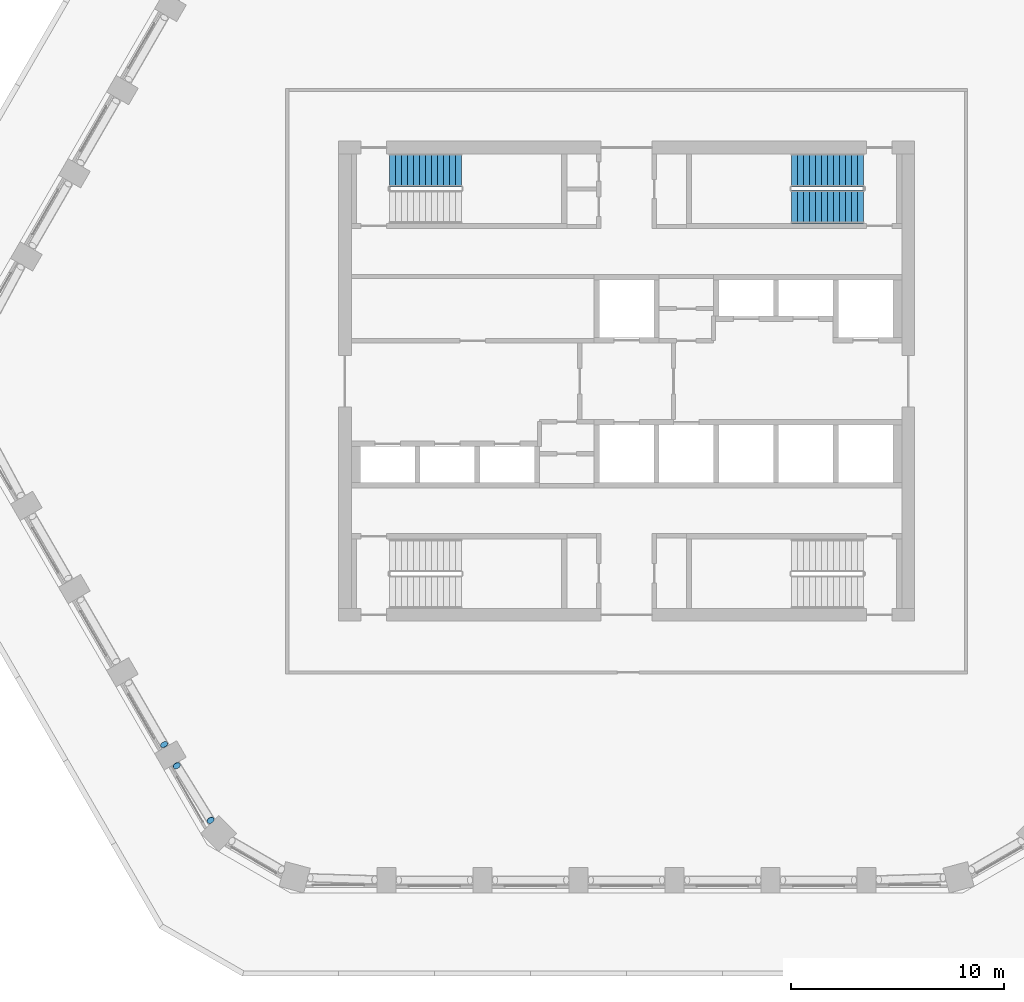
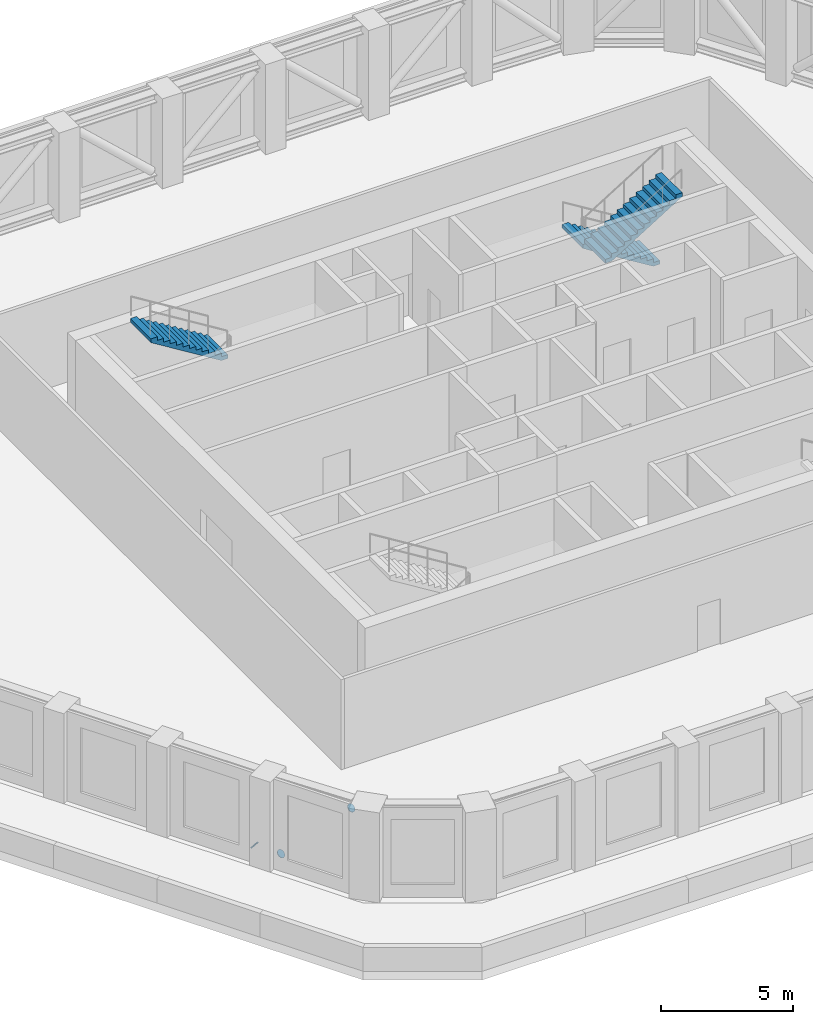
# One storey, part 8 of 14: 3 discrete accessories, 3 stair flights, 2 elements without a shape of their own.
"""IFC4 building model written with IfcOpenShell, lengths in metres."""

import ifcopenshell
import ifcopenshell.guid

model = None  # the IFC model being written
_history = None  # IfcOwnerHistory: only IFC2X3 demands one
_inside = {}  # id of a spatial element -> (the spatial element, [elements in it])
_under = {}  # id of a project, library or spatial element -> (it, [spatial elements below it])
_declared = {}  # id of a project -> (the project, [libraries it declares])
_typed = {}  # id of a type object -> (the type object, [elements of that type])
_made_of = {}  # id of a material, layer set ... -> (it, [elements and type objects made of it])


def new_model(schema):
    """Start an empty IFC model of exactly this schema.

    Asked for "IFC4X3", IfcOpenShell would pick the latest addendum, in which some entities
    have other attributes; the version numbers below select the first issue.
    IFC2X3 requires an IfcOwnerHistory on every rooted entity: one is made here for all.
    """
    global model, _history
    if schema == "IFC4X3":
        model = ifcopenshell.file(schema_version=(4, 3, 0, 0))
    else:
        model = ifcopenshell.file(schema=schema)
    _inside.clear()
    _under.clear()
    _declared.clear()
    _typed.clear()
    _made_of.clear()
    _history = None
    if model.schema == "IFC2X3":
        org = make("IfcOrganization", Name="unknown")
        user = make(
            "IfcPersonAndOrganization",
            ThePerson=make("IfcPerson", FamilyName="unknown"),
            TheOrganization=org,
        )
        app = make(
            "IfcApplication",
            ApplicationDeveloper=org,
            Version="unknown",
            ApplicationFullName="unknown",
            ApplicationIdentifier="unknown",
        )
        _history = make(
            "IfcOwnerHistory",
            OwningUser=user,
            OwningApplication=app,
            ChangeAction="ADDED",
            CreationDate=0,
        )
    return model


def make(cls, **values):
    """One entity of the class cls with the attributes given. An attribute that is None is left unset."""
    return model.create_entity(
        cls, **{name: value for name, value in values.items() if value is not None}
    )


def rooted(cls, **values):
    """An entity with a GlobalId (a new one), such as an element, a storey or a relation."""
    return make(cls, GlobalId=ifcopenshell.guid.new(), OwnerHistory=_history, **values)


def si_unit(unit_type, name, prefix=None):
    """IfcSIUnit, for example si_unit("LENGTHUNIT", "METRE", prefix="MILLI")."""
    return make("IfcSIUnit", UnitType=unit_type, Prefix=prefix, Name=name)


def assignment(units):
    """IfcUnitAssignment: the units of a project."""
    return None if units is None else make("IfcUnitAssignment", Units=units)


def point(xyz):
    """IfcCartesianPoint."""
    return None if xyz is None else make("IfcCartesianPoint", Coordinates=xyz)


def direction(xyz):
    """IfcDirection."""
    return None if xyz is None else make("IfcDirection", DirectionRatios=xyz)


def frame(location, z_axis=None, x_axis=None):
    """IfcAxis2Placement3D, a coordinate frame: its origin and axes. An axis left out is left unset."""
    return make(
        "IfcAxis2Placement3D",
        Location=point(location),
        Axis=direction(z_axis),
        RefDirection=direction(x_axis),
    )


def frame_2d(location, x_axis=None):
    """IfcAxis2Placement2D, a coordinate frame in the plane: its origin and x axis."""
    return make(
        "IfcAxis2Placement2D", Location=point(location), RefDirection=direction(x_axis)
    )


def origin():
    """The frame at (0, 0, 0) with its axes left unset."""
    return frame((0.0, 0.0, 0.0))


def origin_2d():
    """The frame at (0, 0) in the plane with its x axis left unset."""
    return frame_2d((0.0, 0.0))


def place(relative_to, where):
    """IfcLocalPlacement: puts the frame where relative to a parent placement (None: the world)."""
    return make(
        "IfcLocalPlacement", PlacementRelTo=relative_to, RelativePlacement=where
    )


def context(
    kind, dimensions, precision=None, world=None, true_north=None, identifier=None
):
    """IfcGeometricRepresentationContext, for example the 3D "Model" context."""
    return make(
        "IfcGeometricRepresentationContext",
        ContextIdentifier=identifier,
        ContextType=kind,
        CoordinateSpaceDimension=dimensions,
        Precision=precision,
        WorldCoordinateSystem=world,
        TrueNorth=true_north,
    )


def subcontext(parent, identifier, kind, view, scale=None):
    """IfcGeometricRepresentationSubContext, for example "Body" below "Model"."""
    return make(
        "IfcGeometricRepresentationSubContext",
        ContextIdentifier=identifier,
        ContextType=kind,
        ParentContext=parent,
        TargetScale=scale,
        TargetView=view,
    )


def project(units=None, contexts=None):
    """IfcProject with its units and contexts."""
    return rooted(
        "IfcProject",
        Name="project",
        RepresentationContexts=contexts,
        UnitsInContext=assignment(units),
    )


def spatial(cls, under=None, at=None, **own):
    """A site, building, storey or space (cls), placed at a placement, below another one or the project."""
    s = rooted(cls, ObjectPlacement=at, **own)
    if under is not None:
        _under.setdefault(under.id(), (under, []))[1].append(s)
    return s


def polyline(points):
    """IfcPolyline through the points."""
    return make("IfcPolyline", Points=[point(p) for p in points])


def profile(cls, at=None, kind="AREA", **sizes):
    """A parametric profile (cls). Its sizes go by their IFC names, for example OverallWidth=200.0."""
    return make(cls, ProfileType=kind, Position=at, **sizes)


def circle(**sizes):
    """IfcCircleProfileDef."""
    return profile("IfcCircleProfileDef", **sizes)


def outline(outer, holes=None, kind="AREA"):
    """IfcArbitraryClosedProfileDef: a profile drawn as a closed curve; with holes, ...WithVoids."""
    if holes is None:
        return make("IfcArbitraryClosedProfileDef", ProfileType=kind, OuterCurve=outer)
    return make(
        "IfcArbitraryProfileDefWithVoids",
        ProfileType=kind,
        OuterCurve=outer,
        InnerCurves=holes,
    )


def extrude(swept, where, along, depth):
    """IfcExtrudedAreaSolid: the profile swept, set in the frame where, extruded along a direction by depth."""
    return make(
        "IfcExtrudedAreaSolid",
        SweptArea=swept,
        Position=where,
        ExtrudedDirection=direction(along),
        Depth=depth,
    )


def shape(context_of_items, identifier, shape_type, items):
    """IfcShapeRepresentation: the items that make up one representation, for example the "Body"."""
    return make(
        "IfcShapeRepresentation",
        ContextOfItems=context_of_items,
        RepresentationIdentifier=identifier,
        RepresentationType=shape_type,
        Items=items,
    )


def material(Name=None, Category=None):
    """IfcMaterial."""
    return make("IfcMaterial", Name=Name, Category=Category)


def material_profile(
    of_material, cross_section, Name=None, Category=None, Priority=None
):
    """IfcMaterialProfile: a cross section and its material."""
    return make(
        "IfcMaterialProfile",
        Name=Name,
        Material=of_material,
        Profile=cross_section,
        Priority=Priority,
        Category=Category,
    )


def profile_set(profiles, Name=None, composite=None):
    """IfcMaterialProfileSet."""
    return make(
        "IfcMaterialProfileSet",
        Name=Name,
        MaterialProfiles=profiles,
        CompositeProfile=composite,
    )


def made_of(thing, what):
    """Note that an element or type object is made of a material, layer set ...; save() writes the relation."""
    if what is not None:
        _made_of.setdefault(what.id(), (what, []))[1].append(thing)
    return thing


def type_object(cls, material=None, **own):
    """A type object (cls), such as IfcWallType, which elements share."""
    return made_of(rooted(cls, **own), material)


def element(
    cls,
    number,
    at=None,
    inside=None,
    cuts=None,
    type_object=None,
    material=None,
    context=None,
    identifier="Body",
    shape_type=None,
    held_by="IfcProductDefinitionShape",
    body=None,
    shapes=None,
    **own,
):
    """One element of the class cls, such as IfcWall. Its Tag is "e" and its number.

    at: its placement. inside: the storey or other place that contains it. cuts: it is an
    opening in that element (IfcRelVoidsElement). A single representation is given by context,
    identifier, shape_type and body (its items); several are given by shapes. held_by: the class
    of the entity that holds the representations. save() writes the other relations.
    """
    e = rooted(cls, Tag="e%d" % number, ObjectPlacement=at, **own)
    if body is not None:
        shapes = [shape(context, identifier, shape_type, body)]
    if shapes is not None:
        e.Representation = make(held_by, Representations=shapes)
    if inside is not None:
        _inside.setdefault(inside.id(), (inside, []))[1].append(e)
    if cuts is not None:
        rooted(
            "IfcRelVoidsElement", RelatingBuildingElement=cuts, RelatedOpeningElement=e
        )
    if type_object is not None:
        _typed.setdefault(type_object.id(), (type_object, []))[1].append(e)
    return made_of(e, material)


def aggregate(whole, parts):
    """IfcRelAggregates: a whole, such as a stair, and the parts it consists of."""
    return rooted("IfcRelAggregates", RelatingObject=whole, RelatedObjects=parts)


def save(model, path):
    """Write the relations noted so far, then the file.

    IfcRelAggregates (storeys below a building ...), IfcRelContainedInSpatialStructure (elements
    in a storey), IfcRelDefinesByType, IfcRelAssociatesMaterial and IfcRelDeclares: one each for
    every whole, place, type object, material and project.
    """
    for whole, parts in _under.values():
        aggregate(whole, parts)
    for where, things in _inside.values():
        rooted(
            "IfcRelContainedInSpatialStructure",
            RelatedElements=things,
            RelatingStructure=where,
        )
    for kind, things in _typed.values():
        rooted("IfcRelDefinesByType", RelatedObjects=things, RelatingType=kind)
    for what, things in _made_of.values():
        rooted("IfcRelAssociatesMaterial", RelatedObjects=things, RelatingMaterial=what)
    for by, libraries in _declared.values():
        rooted("IfcRelDeclares", RelatingContext=by, RelatedDefinitions=libraries)
    model.write(path)


model = new_model("IFC4")

# Units and contexts
model_context = context("Model", 3, precision=1e-05, world=origin(), true_north=direction((0.0, 1.0)))
body_context = subcontext(model_context, "Body", "Model", "MODEL_VIEW")
ifc_project = project(units=[si_unit("LENGTHUNIT", "METRE"), si_unit("AREAUNIT", "SQUARE_METRE"), si_unit("VOLUMEUNIT", "CUBIC_METRE"), si_unit("PLANEANGLEUNIT", "RADIAN"), si_unit("MASSUNIT", "GRAM", prefix="KILO")], contexts=[model_context])

# Site, building, storey
site_placement = place(None, origin())
site = spatial("IfcSite", under=ifc_project, at=site_placement, CompositionType="ELEMENT")
building_placement = place(site_placement, origin())
building = spatial("IfcBuilding", under=site, at=building_placement, Name="Dhurran Vertical Campus", CompositionType="ELEMENT")
storey_placement = place(building_placement, frame((0.0, 0.0, 179.39990234375)))
storey = spatial("IfcBuildingStorey", under=building, at=storey_placement, Name="L44 Plant", CompositionType="ELEMENT", Elevation=179.39990234375)

# Stair, stair flight
ifc_material_1 = material(Name="Concrete C40/50", Category="concrete")
stair_type = type_object("IfcStairType", Name="co-ST-CORE", PredefinedType="HALF_TURN_STAIR", material=ifc_material_1)
stair_1_placement = place(storey_placement, origin())
stair_1 = element("IfcStair", 1, at=stair_1_placement, inside=storey, type_object=stair_type, Name="L44 Plant Protected exit stair ST1", PredefinedType="HALF_TURN_STAIR")
ifc_material_2 = material(Name="Concrete C40/50", Category="concrete")
stair_flight_type = type_object("IfcStairFlightType", Name="co-SFL-RC", PredefinedType="STRAIGHT", material=ifc_material_2)
stair_flight_1_placement = place(storey_placement, frame((-7.739990234375, 9.875, 2.25), z_axis=(0.0, 0.0, 1.0), x_axis=(-1.0, 0.0, 0.0)))
stair_flight_1 = element("IfcStairFlight", 2, at=stair_flight_1_placement, type_object=stair_flight_type, Name="ST1 flight 2", NumberOfRisers=13, NumberOfTreads=12, PredefinedType="STRAIGHT", RiserHeight=0.173076923, TreadLength=0.28, context=body_context, shape_type="SweptSolid", body=[
    extrude(outline(polyline([(0.0, 0.0), (0.0, 0.173095703125), (0.280029296875, 0.173095703125), (0.280029296875, 0.34619140625), (0.56005859375, 0.34619140625), (0.56005859375, 0.519287109375), (0.840087890625, 0.519287109375), (0.840087890625, 0.6923828125), (1.1201171875, 0.6923828125), (1.1201171875, 0.865478515625), (1.39990234375, 0.865478515625), (1.39990234375, 1.03857421875), (1.679931640625, 1.03857421875), (1.679931640625, 1.21142578125), (1.9599609375, 1.21142578125), (1.9599609375, 1.384521484375), (2.239990234375, 1.384521484375), (2.239990234375, 1.5576171875), (2.52001953125, 1.5576171875), (2.52001953125, 1.730712890625), (2.800048828125, 1.730712890625), (2.800048828125, 1.90380859375), (3.080078125, 1.90380859375), (3.080078125, 2.076904296875), (3.360107421875, 2.076904296875), (3.360107421875, 2.25), (3.360107421875, 1.900634765625), (0.28515625, 0.0), (0.0, 0.0)])), frame((0.0, 0.77490234375, 0.0), z_axis=(0.0, -1.0, 0.0), x_axis=(1.0, 0.0, 0.0)), (0.0, 0.0, 1.0), 1.550048828125),
])
aggregate(stair_1, [stair_flight_1])

# Stair, stair flights
stair_2_placement = place(storey_placement, origin())
stair_2 = element("IfcStair", 3, at=stair_2_placement, inside=storey, type_object=stair_type, Name="L44 Plant Protected exit stair ST2", PredefinedType="HALF_TURN_STAIR")
stair_flight_2_placement = place(storey_placement, frame((11.10009765625, 9.875, 0.0), z_axis=(0.0, 0.0, 1.0), x_axis=(-1.0, 0.0, 0.0)))
stair_flight_2 = element("IfcStairFlight", 4, at=stair_flight_2_placement, type_object=stair_flight_type, Name="ST2 flight 1", NumberOfRisers=13, NumberOfTreads=12, PredefinedType="STRAIGHT", RiserHeight=0.173076923, TreadLength=0.28, context=body_context, shape_type="SweptSolid", body=[
    extrude(outline(polyline([(0.0, 0.0), (0.0, 0.173095703125), (0.280029296875, 0.173095703125), (0.280029296875, 0.34619140625), (0.56005859375, 0.34619140625), (0.56005859375, 0.519287109375), (0.840087890625, 0.519287109375), (0.840087890625, 0.6923828125), (1.1201171875, 0.6923828125), (1.1201171875, 0.865478515625), (1.39990234375, 0.865478515625), (1.39990234375, 1.03857421875), (1.679931640625, 1.03857421875), (1.679931640625, 1.21142578125), (1.9599609375, 1.21142578125), (1.9599609375, 1.384521484375), (2.239990234375, 1.384521484375), (2.239990234375, 1.5576171875), (2.52001953125, 1.5576171875), (2.52001953125, 1.730712890625), (2.800048828125, 1.730712890625), (2.800048828125, 1.90380859375), (3.080078125, 1.90380859375), (3.080078125, 2.076904296875), (3.360107421875, 2.076904296875), (3.360107421875, 2.25), (3.360107421875, 1.900634765625), (0.28515625, 0.0), (0.0, 0.0)])), frame((0.0, 0.77490234375, 0.0), z_axis=(0.0, -1.0, 0.0), x_axis=(1.0, 0.0, 0.0)), (0.0, 0.0, 1.0), 1.550048828125),
])
stair_flight_3_placement = place(storey_placement, frame((7.739990234375, 8.175048828125, 2.25), z_axis=(0.0, 0.0, 1.0), x_axis=(1.0, 0.0, 0.0)))
stair_flight_3 = element("IfcStairFlight", 5, at=stair_flight_3_placement, type_object=stair_flight_type, Name="ST2 flight 2", NumberOfRisers=13, NumberOfTreads=12, PredefinedType="STRAIGHT", RiserHeight=0.173076923, TreadLength=0.28, context=body_context, shape_type="SweptSolid", body=[
    extrude(outline(polyline([(0.0, 0.0), (0.0, 0.173095703125), (0.280029296875, 0.173095703125), (0.280029296875, 0.34619140625), (0.56005859375, 0.34619140625), (0.56005859375, 0.519287109375), (0.840087890625, 0.519287109375), (0.840087890625, 0.6923828125), (1.1201171875, 0.6923828125), (1.1201171875, 0.865478515625), (1.39990234375, 0.865478515625), (1.39990234375, 1.03857421875), (1.679931640625, 1.03857421875), (1.679931640625, 1.21142578125), (1.9599609375, 1.21142578125), (1.9599609375, 1.384521484375), (2.239990234375, 1.384521484375), (2.239990234375, 1.5576171875), (2.52001953125, 1.5576171875), (2.52001953125, 1.730712890625), (2.800048828125, 1.730712890625), (2.800048828125, 1.90380859375), (3.080078125, 1.90380859375), (3.080078125, 2.076904296875), (3.360107421875, 2.076904296875), (3.360107421875, 2.25), (3.360107421875, 1.900634765625), (0.28515625, 0.0), (0.0, 0.0)])), frame((0.0, 0.77490234375, 0.0), z_axis=(0.0, -1.0, 0.0), x_axis=(1.0, 0.0, 0.0)), (0.0, 0.0, 1.0), 1.550048828125),
])
aggregate(stair_2, [stair_flight_2, stair_flight_3])

# Discrete accessories
ifc_material_3 = material(Name="Steel S355J2", Category="steel")
ifc_material_profile = material_profile(ifc_material_3, circle(Radius=0.177734375, at=origin_2d()), Name="Tube end cap 356 x 20")
ifc_profile_set = profile_set([ifc_material_profile], Name="Steel S355J2")
discrete_accessory_type = type_object("IfcDiscreteAccessoryType", Name="Tube end cap 356 x 20", PredefinedType="USERDEFINED", material=ifc_profile_set)
for number, where, z_axis, x_axis, name in (
    (6, (-21.6728515625, -17.02685546875, 0.53759765625), (0.365419152851, -0.633393198274, -0.682115751988), (0.866185586049, 0.49972245349, 0.0), "EC1 belt L44 d37 capA"),
    (7, (-21.076904296875, -18.0234375, 0.531005859375), (-0.364285900146, 0.595000303572, -0.716428936954), (-0.852851304076, -0.522153859639, 0.0), "EC1 belt L44 d38 capA"),
    (8, (-19.497314453125, -20.571533203125, 3.619384765625), (0.367469397963, -0.600200016674, 0.710440836063), (0.852851304076, 0.522153859639, 0.0), "EC1 belt L44 d38 capB"),
):
    element("IfcDiscreteAccessory", number, at=place(storey_placement, frame(where, z_axis=z_axis, x_axis=x_axis)), inside=storey, type_object=discrete_accessory_type, Name=name, ObjectType="END CAP", PredefinedType="USERDEFINED", context=body_context, shape_type="SweptSolid", body=[
        extrude(circle(Radius=0.177734375, at=origin_2d()), origin(), (0.0, 0.0, 1.0), 0.02001953125),
    ])

save(model, "model.ifc")
